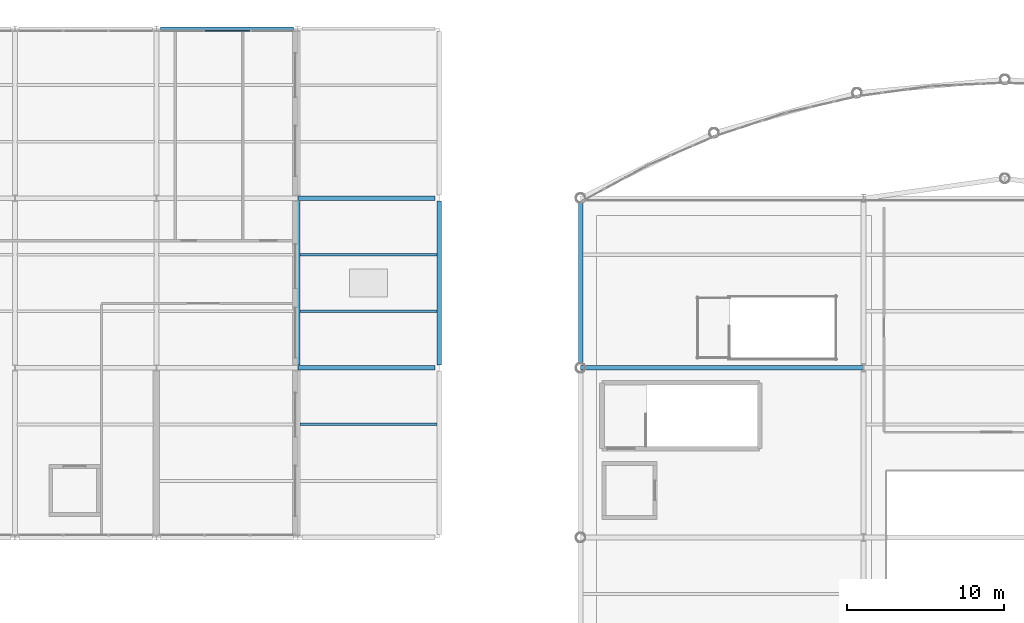
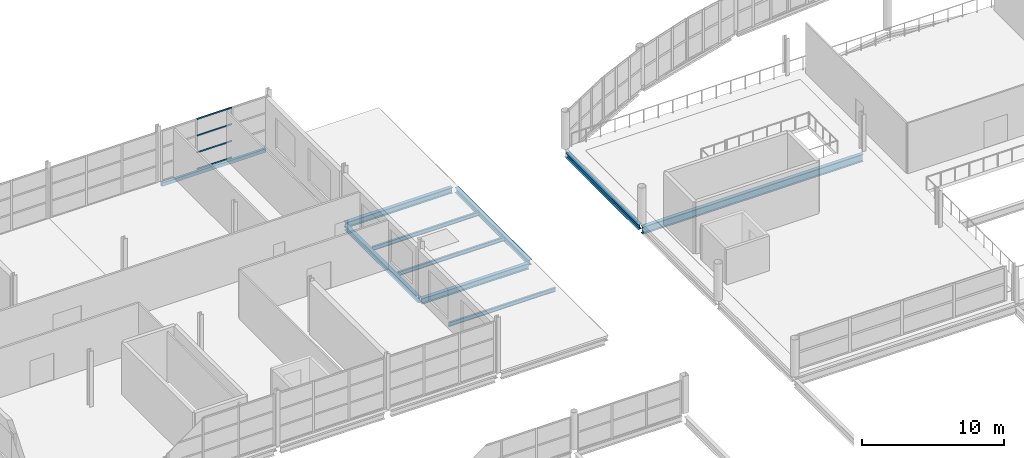
# One storey, part 59 of 134: 10 beams, 4 members, 1 element without a shape of its own.
"""IFC4 building model written with IfcOpenShell, lengths in metres."""

from ifc_helpers import new_model, si_unit, direction, frame, origin, origin_2d, place, context, subcontext, project, spatial, hollow_rectangle, i_section, extrude, material, layer, layer_set, material_profile, profile_set, type_object, element, aggregate, save


model = new_model("IFC4")

# Units and contexts
model_context = context("Model", 3, precision=1e-05, world=origin(), true_north=direction((0.0, 1.0)))
body_context = subcontext(model_context, "Body", "Model", "MODEL_VIEW")
ifc_project = project(units=[si_unit("LENGTHUNIT", "METRE"), si_unit("AREAUNIT", "SQUARE_METRE"), si_unit("VOLUMEUNIT", "CUBIC_METRE"), si_unit("PLANEANGLEUNIT", "RADIAN"), si_unit("MASSUNIT", "GRAM", prefix="KILO")], contexts=[model_context])

# Site, building, storey
site_placement = place(None, origin())
site = spatial("IfcSite", under=ifc_project, at=site_placement, CompositionType="ELEMENT")
building_placement = place(site_placement, origin())
building = spatial("IfcBuilding", under=site, at=building_placement, Name="Tamarisk Ironworks Central Station", CompositionType="ELEMENT")
storey_placement = place(building_placement, frame((0.0, 0.0, 12.60009765625)))
storey = spatial("IfcBuildingStorey", under=building, at=storey_placement, Name="L02", CompositionType="ELEMENT", Elevation=12.60009765625)

# Beams
ifc_material_1 = material(Name="Structural steel S355J2", Category="steel")
ifc_material_profile_1 = material_profile(ifc_material_1, i_section(OverallWidth=0.159912109375, OverallDepth=0.330078125, WebThickness=0.007568359375, FlangeThickness=0.011474609375, at=origin_2d()), Name="IPE 330")
ifc_profile_set_1 = profile_set([ifc_material_profile_1], Name="Structural steel S355J2")
beam_type_1 = type_object("IfcBeamType", Name="BM-B06", PredefinedType="BEAM", material=ifc_profile_set_1)
for number, where, z_axis, x_axis, name in (
    (1, (36.135009765625, 97.199951171875, -0.3251953125), (1.0, 0.0, 0.0), (0.0, 1.0, 0.0), "L02 secondary composite beam 0152"),
    (2, (36.135009765625, 104.39990234375, -0.3251953125), (1.0, 0.0, 0.0), (0.0, 1.0, 0.0), "L02 secondary composite beam 0153"),
    (3, (36.135009765625, 108.0, -0.3251953125), (1.0, 0.0, 0.0), (0.0, 1.0, 0.0), "L02 secondary composite beam 0154"),
):
    element("IfcBeam", number, at=place(storey_placement, frame(where, z_axis=z_axis, x_axis=x_axis)), inside=storey, type_object=beam_type_1, Name=name, PredefinedType="BEAM", context=body_context, shape_type="SweptSolid", body=[
        extrude(i_section(OverallWidth=0.159912109375, OverallDepth=0.330078125, WebThickness=0.007568359375, FlangeThickness=0.011474609375, at=origin_2d()), origin(), (0.0, 0.0, 1.0), 8.72998046875),
    ])
ifc_material_profile_2 = material_profile(ifc_material_1, i_section(OverallWidth=0.300048828125, OverallDepth=0.639892578125, WebThickness=0.013427734375, FlangeThickness=0.02587890625, at=origin_2d()), Name="HEA 650")
ifc_profile_set_2 = profile_set([ifc_material_profile_2], Name="Structural steel S355J2")
beam_type_2 = type_object("IfcBeamType", Name="BM-G02", PredefinedType="BEAM", material=ifc_profile_set_2)
beam_1_placement = place(storey_placement, frame((54.00390625, 100.800048828125, -0.60009765625), z_axis=(1.0, 0.0, 0.0), x_axis=(0.0, 1.0, 0.0)))
element("IfcBeam", 4, at=beam_1_placement, inside=storey, type_object=beam_type_2, Name="L02 primary girder X-0385", PredefinedType="BEAM", context=body_context, shape_type="SweptSolid", body=[
    extrude(i_section(OverallWidth=0.300048828125, OverallDepth=0.639892578125, WebThickness=0.013427734375, FlangeThickness=0.02587890625, at=origin_2d()), origin(), (0.0, 0.0, 1.0), 17.9921875),
])
ifc_material_profile_3 = material_profile(ifc_material_1, i_section(OverallWidth=0.300048828125, OverallDepth=0.489990234375, WebThickness=0.011962890625, FlangeThickness=0.02294921875, at=origin_2d()), Name="HEA 500")
ifc_profile_set_3 = profile_set([ifc_material_profile_3], Name="Structural steel S355J2")
beam_type_3 = type_object("IfcBeamType", Name="BM-G05", PredefinedType="BEAM", material=ifc_profile_set_3)
for number, where, z_axis, x_axis, name in (
    (5, (36.00390625, 100.800048828125, -0.405029296875), (1.0, 0.0, 0.0), (0.0, 1.0, 0.0), "L02 primary girder X-0384"),
    (6, (36.00390625, 111.60009765625, -0.405029296875), (1.0, 0.0, 0.0), (0.0, 1.0, 0.0), "L02 primary girder X-0397"),
):
    element("IfcBeam", number, at=place(storey_placement, frame(where, z_axis=z_axis, x_axis=x_axis)), inside=storey, type_object=beam_type_3, Name=name, PredefinedType="BEAM", context=body_context, shape_type="SweptSolid", body=[
        extrude(i_section(OverallWidth=0.300048828125, OverallDepth=0.489990234375, WebThickness=0.011962890625, FlangeThickness=0.02294921875, at=origin_2d()), origin(), (0.0, 0.0, 1.0), 8.733154296875),
    ])
ifc_material_profile_4 = material_profile(ifc_material_1, i_section(OverallWidth=0.300048828125, OverallDepth=0.43994140625, WebThickness=0.011474609375, FlangeThickness=0.02099609375, at=origin_2d()), Name="HEA 450")
ifc_profile_set_4 = profile_set([ifc_material_profile_4], Name="Structural steel S355J2")
beam_type_4 = type_object("IfcBeamType", Name="BM-G06", PredefinedType="BEAM", material=ifc_profile_set_4)
for number, where, z_axis, x_axis, name in (
    (7, (36.0, 100.988037109375, -0.47021484375), (0.0, 1.0, 0.0), (-1.0, 0.0, 0.0), "L02 primary girder Y-0447"),
    (8, (45.0, 100.988037109375, -0.380126953125), (0.0, 1.0, 0.0), (-1.0, 0.0, 0.0), "L02 primary girder Y-0454"),
):
    element("IfcBeam", number, at=place(storey_placement, frame(where, z_axis=z_axis, x_axis=x_axis)), inside=storey, type_object=beam_type_4, Name=name, PredefinedType="BEAM", context=body_context, shape_type="SweptSolid", body=[
        extrude(i_section(OverallWidth=0.300048828125, OverallDepth=0.43994140625, WebThickness=0.011474609375, FlangeThickness=0.02099609375, at=origin_2d()), origin(), (0.0, 0.0, 1.0), 10.424072265625),
    ])
beam_2_placement = place(storey_placement, frame((54.0, 101.087890625, -0.5), z_axis=(0.0, 1.0, 0.0), x_axis=(-1.0, 0.0, 0.0)))
element("IfcBeam", 9, at=beam_2_placement, inside=storey, type_object=beam_type_4, Name="L02 primary girder Y-0463", PredefinedType="BEAM", context=body_context, shape_type="SweptSolid", body=[
    extrude(i_section(OverallWidth=0.300048828125, OverallDepth=0.43994140625, WebThickness=0.011474609375, FlangeThickness=0.02099609375, at=origin_2d()), origin(), (0.0, 0.0, 1.0), 10.22412109375),
])
ifc_material_profile_5 = material_profile(ifc_material_1, hollow_rectangle(XDim=0.199951171875, YDim=0.300048828125, WallThickness=0.011962890625, at=origin_2d()), Name="RHS 300x200x12")
ifc_profile_set_5 = profile_set([ifc_material_profile_5], Name="Structural steel S355J2")
beam_type_5 = type_object("IfcBeamType", Name="BM-SP02", PredefinedType="SPANDREL", material=ifc_profile_set_5)
beam_3_placement = place(storey_placement, frame((27.262939453125, 122.39990234375, -0.400146484375), z_axis=(1.0, 0.0, 0.0), x_axis=(0.0, 1.0, 0.0)))
element("IfcBeam", 10, at=beam_3_placement, inside=storey, type_object=beam_type_5, Name="L02 primary girder X-0409", PredefinedType="SPANDREL", context=body_context, shape_type="SweptSolid", body=[
    extrude(hollow_rectangle(XDim=0.199951171875, YDim=0.300048828125, WallThickness=0.011962890625, at=origin_2d()), origin(), (0.0, 0.0, 1.0), 8.47412109375),
])

# Curtain wall, members
ifc_material_2 = material(Name="Anodized aluminium alloy 6063-T6", Category="aluminium")
ifc_layer = layer(ifc_material_2, 0.179931640625)
ifc_layer_set = layer_set([ifc_layer], Name="Anodized aluminium alloy 6063-T6")
curtain_wall_type = type_object("IfcCurtainWallType", Name="CW-14", PredefinedType="USERDEFINED", material=ifc_layer_set)
curtain_wall_placement = place(storey_placement, origin())
curtain_wall = element("IfcCurtainWall", 11, at=curtain_wall_placement, inside=storey, type_object=curtain_wall_type, Name="Pavilion L02 N glazed arcade 27", ObjectType="GLAZED CURTAIN WALL", PredefinedType="USERDEFINED")
ifc_material_profile_6 = material_profile(ifc_material_2, hollow_rectangle(XDim=0.06005859375, YDim=0.114990234375, WallThickness=0.00341796875, at=origin_2d()), Name="ALUM 115x60")
ifc_profile_set_6 = profile_set([ifc_material_profile_6], Name="Anodized aluminium alloy 6063-T6")
member_type = type_object("IfcMemberType", Name="CWT-03", PredefinedType="USERDEFINED", material=ifc_profile_set_6)
member_1_placement = place(storey_placement, frame((30.075439453125, 122.25, 0.02978515625), z_axis=(1.0, 0.0, 0.0), x_axis=(0.0, 1.0, 0.0)))
member_1 = element("IfcMember", 12, at=member_1_placement, type_object=member_type, Name="CW14 transom 2.1", ObjectType="TRANSOM", PredefinedType="USERDEFINED", context=body_context, shape_type="SweptSolid", body=[
    extrude(hollow_rectangle(XDim=0.06005859375, YDim=0.114990234375, WallThickness=0.00341796875, at=origin_2d()), origin(), (0.0, 0.0, 1.0), 2.84912109375),
])
member_2_placement = place(storey_placement, frame((30.075439453125, 122.25, 1.453125), z_axis=(1.0, 0.0, 0.0), x_axis=(0.0, 1.0, 0.0)))
member_2 = element("IfcMember", 13, at=member_2_placement, type_object=member_type, Name="CW14 transom 2.2", ObjectType="TRANSOM", PredefinedType="USERDEFINED", context=body_context, shape_type="SweptSolid", body=[
    extrude(hollow_rectangle(XDim=0.06005859375, YDim=0.114990234375, WallThickness=0.00341796875, at=origin_2d()), origin(), (0.0, 0.0, 1.0), 2.84912109375),
])
member_3_placement = place(storey_placement, frame((30.075439453125, 122.25, 2.906494140625), z_axis=(1.0, 0.0, 0.0), x_axis=(0.0, 1.0, 0.0)))
member_3 = element("IfcMember", 14, at=member_3_placement, type_object=member_type, Name="CW14 transom 2.3", ObjectType="TRANSOM", PredefinedType="USERDEFINED", context=body_context, shape_type="SweptSolid", body=[
    extrude(hollow_rectangle(XDim=0.06005859375, YDim=0.114990234375, WallThickness=0.00341796875, at=origin_2d()), origin(), (0.0, 0.0, 1.0), 2.84912109375),
])
member_4_placement = place(storey_placement, frame((30.075439453125, 122.25, 4.329833984375), z_axis=(1.0, 0.0, 0.0), x_axis=(0.0, 1.0, 0.0)))
member_4 = element("IfcMember", 15, at=member_4_placement, type_object=member_type, Name="CW14 transom 2.4", ObjectType="TRANSOM", PredefinedType="USERDEFINED", context=body_context, shape_type="SweptSolid", body=[
    extrude(hollow_rectangle(XDim=0.06005859375, YDim=0.114990234375, WallThickness=0.00341796875, at=origin_2d()), origin(), (0.0, 0.0, 1.0), 2.84912109375),
])
aggregate(curtain_wall, [member_1, member_2, member_3, member_4])

save(model, "model.ifc")
